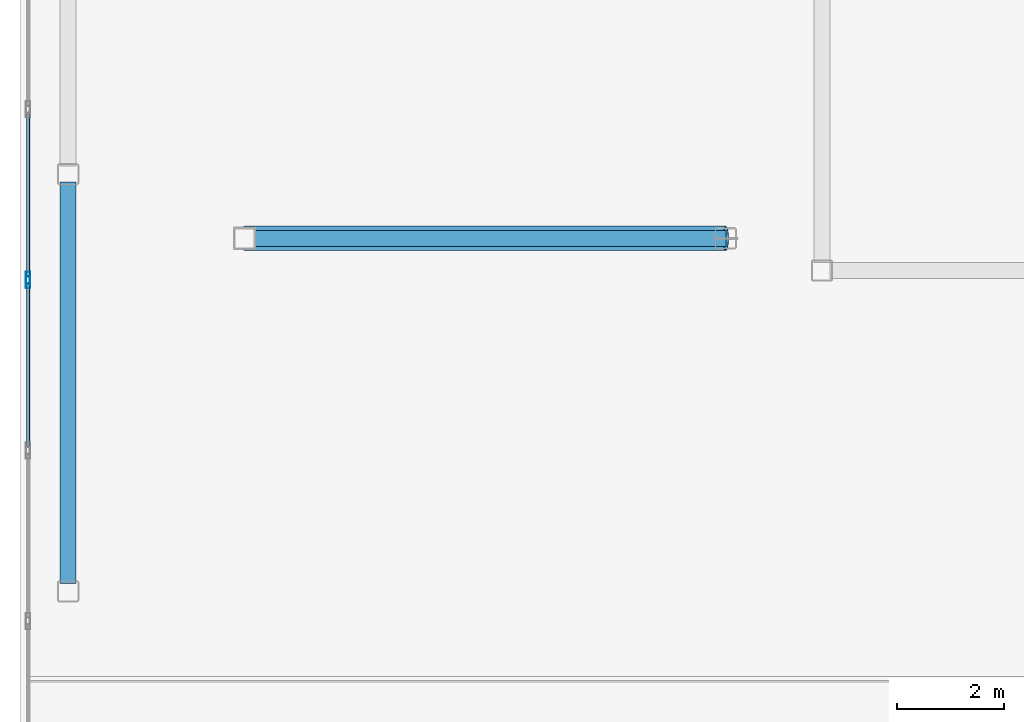
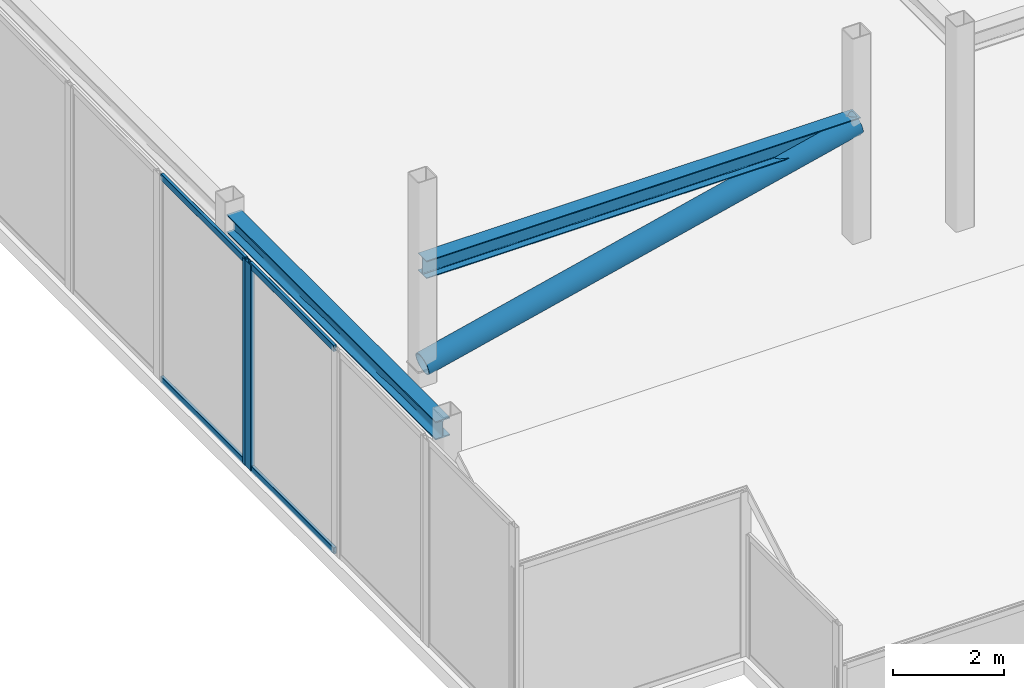
# One storey, part 3 of 16: 7 members, 2 beams, 2 elements without a shape of their own.
"""IFC4 building model written with IfcOpenShell, lengths in metres."""

from ifc_helpers import new_model, si_unit, direction, frame, origin, origin_2d, place, context, subcontext, project, spatial, hollow_rectangle, hollow_circle, i_section, extrude, material, layer, layer_set, material_profile, profile_set, type_object, element, aggregate, save


model = new_model("IFC4")

# Units and contexts
model_context = context("Model", 3, precision=1e-05, world=origin(), true_north=direction((0.0, 1.0)))
body_context = subcontext(model_context, "Body", "Model", "MODEL_VIEW")
ifc_project = project(units=[si_unit("LENGTHUNIT", "METRE"), si_unit("AREAUNIT", "SQUARE_METRE"), si_unit("VOLUMEUNIT", "CUBIC_METRE"), si_unit("PLANEANGLEUNIT", "RADIAN"), si_unit("MASSUNIT", "GRAM", prefix="KILO")], contexts=[model_context])

# Site, building, storey
site_placement = place(None, origin())
site = spatial("IfcSite", under=ifc_project, at=site_placement, CompositionType="ELEMENT")
building_placement = place(site_placement, origin())
building = spatial("IfcBuilding", under=site, at=building_placement, Name="Tarnavaz Court Tower", CompositionType="ELEMENT")
storey_placement = place(building_placement, frame((0.0, 0.0, 290.550048828125)))
storey = spatial("IfcBuildingStorey", under=building, at=storey_placement, Name="C03", CompositionType="ELEMENT", Elevation=290.550048828125)

# Beams
ifc_material_1 = material(Name="Steel S355", Category="steel")
ifc_material_profile_1 = material_profile(ifc_material_1, i_section(OverallWidth=0.300048828125, OverallDepth=0.389892578125, WebThickness=0.010986328125, FlangeThickness=0.01904296875, FilletRadius=0.027099609375, at=origin_2d()), Name="HEA 400")
ifc_profile_set_1 = profile_set([ifc_material_profile_1], Name="Steel S355")
beam_type_1 = type_object("IfcBeamType", Name="BM-CR-IPE300", PredefinedType="USERDEFINED", material=ifc_profile_set_1)
beam_1_placement = place(storey_placement, frame((-18.60009765625, -7.199951171875, 2.5), z_axis=(1.0, 0.0, 0.0), x_axis=(0.0, 1.0, 0.0)))
element("IfcBeam", 1, at=beam_1_placement, inside=storey, type_object=beam_type_1, Name="C03 Crown Frame W Core Tie Beam", ObjectType="CROWN FRAME", PredefinedType="USERDEFINED", context=body_context, shape_type="SweptSolid", body=[
    extrude(i_section(OverallWidth=0.300048828125, OverallDepth=0.389892578125, WebThickness=0.010986328125, FlangeThickness=0.01904296875, FilletRadius=0.027099609375, at=origin_2d()), origin(), (0.0, 0.0, 1.0), 9.0),
])
ifc_material_profile_2 = material_profile(ifc_material_1, i_section(OverallWidth=0.300048828125, OverallDepth=0.39990234375, WebThickness=0.013427734375, FlangeThickness=0.02392578125, FilletRadius=0.027099609375, at=origin_2d()), Name="HEB 400")
ifc_profile_set_2 = profile_set([ifc_material_profile_2], Name="Steel S355")
beam_type_2 = type_object("IfcBeamType", Name="BM-G-HEB400", PredefinedType="USERDEFINED", material=ifc_profile_set_2)
beam_2_placement = place(storey_placement, frame((-21.89990234375, -13.64990234375, 4.0), z_axis=(0.0, 1.0, 0.0), x_axis=(-1.0, 0.0, 0.0)))
element("IfcBeam", 2, at=beam_2_placement, inside=storey, type_object=beam_type_2, Name="C03 Beam CRG-PW-1-PW-2", ObjectType="GIRDER", PredefinedType="USERDEFINED", context=body_context, shape_type="SweptSolid", body=[
    extrude(i_section(OverallWidth=0.300048828125, OverallDepth=0.39990234375, WebThickness=0.013427734375, FlangeThickness=0.02392578125, FilletRadius=0.027099609375, at=origin_2d()), origin(), (0.0, 0.0, 1.0), 7.5),
])

# Curtain wall, member
ifc_material_2 = material(Name="Anodised Aluminium 6063-T6 and Solar Low-E Glazing", Category="aluminium")
ifc_layer = layer(ifc_material_2, 0.2099609375)
ifc_layer_set = layer_set([ifc_layer], Name="Anodised Aluminium 6063-T6 and Solar Low-E Glazing")
curtain_wall_type = type_object("IfcCurtainWallType", Name="CW-SYS-06", PredefinedType="NOTDEFINED", material=ifc_layer_set)
curtain_wall_1_placement = place(storey_placement, origin())
curtain_wall_1 = element("IfcCurtainWall", 3, at=curtain_wall_1_placement, inside=storey, type_object=curtain_wall_type, Name="C03 Slanted Crown Terracotta Curtain Wall 6", PredefinedType="NOTDEFINED")
ifc_material_3 = material(Name="Anodised Aluminium 6063-T6", Category="aluminium")
ifc_material_profile_3 = material_profile(ifc_material_3, hollow_rectangle(XDim=0.0849609375, YDim=0.219970703125, WallThickness=0.006103515625, InnerFilletRadius=0.006103515625, OuterFilletRadius=0.011962890625, at=origin_2d()), Name="ALU RHS 220X85X6")
ifc_profile_set_3 = profile_set([ifc_material_profile_3], Name="Anodised Aluminium 6063-T6")
member_type_1 = type_object("IfcMemberType", Name="CW-MUL-220", PredefinedType="MULLION", material=ifc_profile_set_3)
member_1_placement = place(storey_placement, frame((-22.64990234375, -8.019775390625, 0.0), z_axis=(0.0, 0.0, 1.0), x_axis=(-1.0, 0.0, 0.0)))
member_1 = element("IfcMember", 4, at=member_1_placement, type_object=member_type_1, Name="CW mullion 2", PredefinedType="MULLION", context=body_context, shape_type="SweptSolid", body=[
    extrude(hollow_rectangle(XDim=0.0849609375, YDim=0.219970703125, WallThickness=0.006103515625, InnerFilletRadius=0.006103515625, OuterFilletRadius=0.011962890625, at=origin_2d()), origin(), (0.0, 0.0, 1.0), 4.5),
])

curtain_wall_2_placement = place(storey_placement, origin())
curtain_wall_2 = element("IfcCurtainWall", 5, at=curtain_wall_2_placement, inside=storey, type_object=curtain_wall_type, Name="C03 Slanted Crown Terracotta Curtain Wall 7", PredefinedType="NOTDEFINED")
member_2_placement = place(storey_placement, frame((-22.64990234375, -7.934814453125, 0.0), z_axis=(0.0, 0.0, 1.0), x_axis=(-1.0, 0.0, 0.0)))
member_2 = element("IfcMember", 6, at=member_2_placement, type_object=member_type_1, Name="CW mullion 1", PredefinedType="MULLION", context=body_context, shape_type="SweptSolid", body=[
    extrude(hollow_rectangle(XDim=0.0849609375, YDim=0.219970703125, WallThickness=0.006103515625, InnerFilletRadius=0.006103515625, OuterFilletRadius=0.011962890625, at=origin_2d()), origin(), (0.0, 0.0, 1.0), 4.5),
])

# Member
ifc_material_profile_4 = material_profile(ifc_material_3, hollow_rectangle(XDim=0.06494140625, YDim=0.139892578125, WallThickness=0.00390625, InnerFilletRadius=0.00390625, OuterFilletRadius=0.008056640625, at=origin_2d()), Name="ALU RHS 140X65X4")
ifc_profile_set_4 = profile_set([ifc_material_profile_4], Name="Anodised Aluminium 6063-T6")
member_type_2 = type_object("IfcMemberType", Name="CW-TRN-140", PredefinedType="USERDEFINED", material=ifc_profile_set_4)
member_3_placement = place(storey_placement, frame((-22.64990234375, -11.083251953125, 0.032470703125), z_axis=(0.0, 1.0, 0.0), x_axis=(-1.0, 0.0, 0.0)))
member_3 = element("IfcMember", 7, at=member_3_placement, type_object=member_type_2, Name="CW transom 1.1", ObjectType="TRANSOM", PredefinedType="USERDEFINED", context=body_context, shape_type="SweptSolid", body=[
    extrude(hollow_rectangle(XDim=0.06494140625, YDim=0.139892578125, WallThickness=0.00390625, InnerFilletRadius=0.00390625, OuterFilletRadius=0.008056640625, at=origin_2d()), origin(), (0.0, 0.0, 1.0), 3.02099609375),
])

member_4_placement = place(storey_placement, frame((-22.64990234375, -11.083251953125, 4.467529296875), z_axis=(0.0, 1.0, 0.0), x_axis=(-1.0, 0.0, 0.0)))
member_4 = element("IfcMember", 8, at=member_4_placement, type_object=member_type_2, Name="CW transom 1.2", ObjectType="TRANSOM", PredefinedType="USERDEFINED", context=body_context, shape_type="SweptSolid", body=[
    extrude(hollow_rectangle(XDim=0.06494140625, YDim=0.139892578125, WallThickness=0.00390625, InnerFilletRadius=0.00390625, OuterFilletRadius=0.008056640625, at=origin_2d()), origin(), (0.0, 0.0, 1.0), 3.02099609375),
])

aggregate(curtain_wall_1, [member_1, member_3, member_4])

member_5_placement = place(storey_placement, frame((-22.64990234375, -7.892333984375, 0.032470703125), z_axis=(0.0, 1.0, 0.0), x_axis=(-1.0, 0.0, 0.0)))
member_5 = element("IfcMember", 9, at=member_5_placement, type_object=member_type_2, Name="CW transom 1.1", ObjectType="TRANSOM", PredefinedType="USERDEFINED", context=body_context, shape_type="SweptSolid", body=[
    extrude(hollow_rectangle(XDim=0.06494140625, YDim=0.139892578125, WallThickness=0.00390625, InnerFilletRadius=0.00390625, OuterFilletRadius=0.008056640625, at=origin_2d()), origin(), (0.0, 0.0, 1.0), 3.02099609375),
])

member_6_placement = place(storey_placement, frame((-22.64990234375, -7.892333984375, 4.467529296875), z_axis=(0.0, 1.0, 0.0), x_axis=(-1.0, 0.0, 0.0)))
member_6 = element("IfcMember", 10, at=member_6_placement, type_object=member_type_2, Name="CW transom 1.2", ObjectType="TRANSOM", PredefinedType="USERDEFINED", context=body_context, shape_type="SweptSolid", body=[
    extrude(hollow_rectangle(XDim=0.06494140625, YDim=0.139892578125, WallThickness=0.00390625, InnerFilletRadius=0.00390625, OuterFilletRadius=0.008056640625, at=origin_2d()), origin(), (0.0, 0.0, 1.0), 3.02099609375),
])

aggregate(curtain_wall_2, [member_2, member_5, member_6])

ifc_material_profile_5 = material_profile(ifc_material_1, hollow_circle(Radius=0.228515625, WallThickness=0.02001953125, at=origin_2d()), Name="CHS 457X20")
ifc_profile_set_5 = profile_set([ifc_material_profile_5], Name="Steel S355")
member_type_3 = type_object("IfcMemberType", Name="MB-CR-CHS273", PredefinedType="USERDEFINED", material=ifc_profile_set_5)
member_7_placement = place(storey_placement, frame((-18.60009765625, -7.199951171875, 0.349853515625), z_axis=(0.972628429945, 0.0, 0.232365955472), x_axis=(0.0, 1.0, 0.0)))
element("IfcMember", 11, at=member_7_placement, inside=storey, type_object=member_type_3, Name="C03 Crown Frame W Wind Brace", ObjectType="CROWN FRAME", PredefinedType="USERDEFINED", context=body_context, shape_type="SweptSolid", body=[
    extrude(hollow_circle(Radius=0.228515625, WallThickness=0.02001953125, at=origin_2d()), origin(), (0.0, 0.0, 1.0), 9.253173828125),
])

save(model, "model.ifc")
